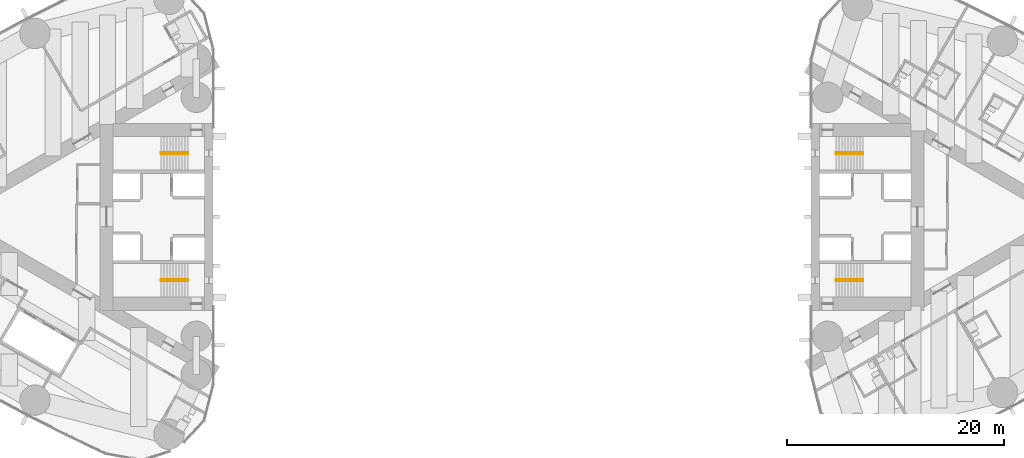
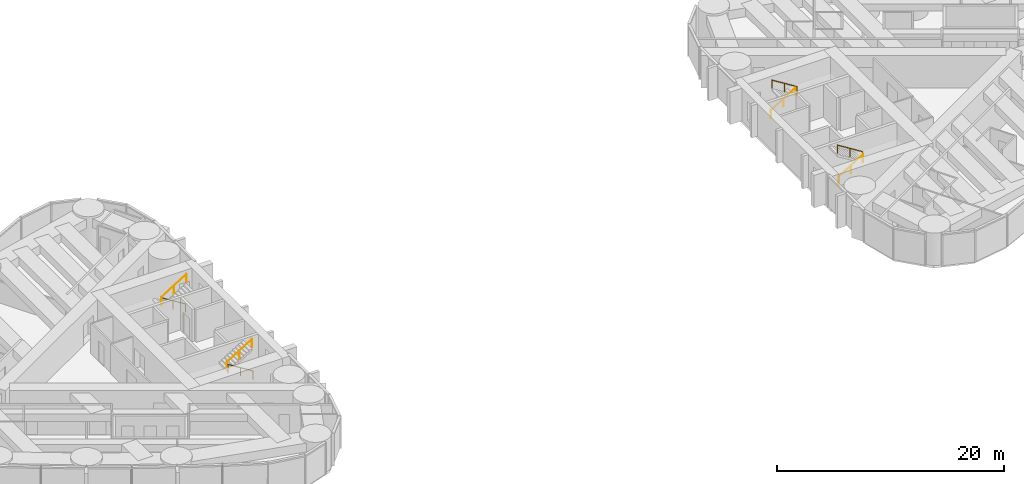
# One storey, part 17 of 18: 8 railings.
"""IFC4 building model written with IfcOpenShell, lengths in metres."""

from ifc_helpers import new_model, si_unit, direction, frame, origin, origin_2d, place, context, subcontext, project, spatial, circle, extrude, material, type_object, element, save


model = new_model("IFC4")

# Units and contexts
model_context = context("Model", 3, precision=1e-05, world=origin(), true_north=direction((0.0, 1.0)))
body_context = subcontext(model_context, "Body", "Model", "MODEL_VIEW")
ifc_project = project(units=[si_unit("LENGTHUNIT", "METRE"), si_unit("AREAUNIT", "SQUARE_METRE"), si_unit("VOLUMEUNIT", "CUBIC_METRE"), si_unit("PLANEANGLEUNIT", "RADIAN"), si_unit("MASSUNIT", "GRAM", prefix="KILO")], contexts=[model_context])

# Site, building, storey
site_placement = place(None, origin())
site = spatial("IfcSite", under=ifc_project, at=site_placement, CompositionType="ELEMENT")
building_placement = place(site_placement, origin())
building = spatial("IfcBuilding", under=site, at=building_placement, Name="Lancet Gate Hotel", CompositionType="ELEMENT")
storey_placement = place(building_placement, frame((0.0, 0.0, 187.800048828125)))
storey = spatial("IfcBuildingStorey", under=building, at=storey_placement, Name="L50", CompositionType="ELEMENT", Elevation=187.800048828125)

# Railings
ifc_material = material(Name="Stainless steel handrail", Category="steel")
railing_type = type_object("IfcRailingType", Name="Stair handrail 900", PredefinedType="HANDRAIL", material=ifc_material)
railing_1_placement = place(storey_placement, frame((-29.800048828125, 5.929931640625, 0.175048828125)))
element("IfcRailing", 1, at=railing_1_placement, inside=storey, type_object=railing_type, Name="ST1 handrail flight 1 L50", PredefinedType="HANDRAIL", context=body_context, shape_type="SweptSolid", body=[
    extrude(circle(Radius=0.02392578125, at=origin_2d()), frame((0.0, 0.0, 0.8759765625), z_axis=(-0.848007534815, 0.0, 0.529984170421), x_axis=(0.0, -1.0, 0.0)), (0.0, 0.0, 1.0), 2.9716796875),
    extrude(circle(Radius=0.02099609375, at=origin_2d()), origin(), (0.0, 0.0, 1.0), 0.851806640625),
    extrude(circle(Radius=0.02099609375, at=origin_2d()), frame((-1.260009765625, 0.0, 0.78759765625)), (0.0, 0.0, 1.0), 0.851806640625),
    extrude(circle(Radius=0.02099609375, at=origin_2d()), frame((-2.52001953125, 0.0, 1.574951171875)), (0.0, 0.0, 1.0), 0.851806640625),
])
railing_2_placement = place(storey_placement, frame((-32.320068359375, 5.77001953125, 1.925048828125)))
element("IfcRailing", 2, at=railing_2_placement, inside=storey, type_object=railing_type, Name="ST1 handrail flight 2 L50", PredefinedType="HANDRAIL", context=body_context, shape_type="SweptSolid", body=[
    extrude(circle(Radius=0.02392578125, at=origin_2d()), frame((0.0, 0.0, 0.8759765625), z_axis=(0.848007534815, 0.0, 0.529984170421), x_axis=(0.0, 1.0, 0.0)), (0.0, 0.0, 1.0), 2.9716796875),
    extrude(circle(Radius=0.02099609375, at=origin_2d()), origin(), (0.0, 0.0, 1.0), 0.851806640625),
    extrude(circle(Radius=0.02099609375, at=origin_2d()), frame((1.260009765625, 0.0, 0.78759765625)), (0.0, 0.0, 1.0), 0.851806640625),
    extrude(circle(Radius=0.02099609375, at=origin_2d()), frame((2.52001953125, 0.0, 1.574951171875)), (0.0, 0.0, 1.0), 0.851806640625),
])
railing_3_placement = place(storey_placement, frame((-29.800048828125, -5.929931640625, 0.175048828125)))
element("IfcRailing", 3, at=railing_3_placement, inside=storey, type_object=railing_type, Name="ST2 handrail flight 1 L50", PredefinedType="HANDRAIL", context=body_context, shape_type="SweptSolid", body=[
    extrude(circle(Radius=0.02392578125, at=origin_2d()), frame((0.0, 0.0, 0.8759765625), z_axis=(-0.848007534815, 0.0, 0.529984170421), x_axis=(0.0, -1.0, 0.0)), (0.0, 0.0, 1.0), 2.9716796875),
    extrude(circle(Radius=0.02099609375, at=origin_2d()), origin(), (0.0, 0.0, 1.0), 0.851806640625),
    extrude(circle(Radius=0.02099609375, at=origin_2d()), frame((-1.260009765625, 0.0, 0.78759765625)), (0.0, 0.0, 1.0), 0.851806640625),
    extrude(circle(Radius=0.02099609375, at=origin_2d()), frame((-2.52001953125, 0.0, 1.574951171875)), (0.0, 0.0, 1.0), 0.851806640625),
])
for number, where, name in (
    (4, (-32.320068359375, -5.77001953125, 1.925048828125), "ST2 handrail flight 2 L50"),
    (5, (29.800048828125, -5.929931640625, 0.175048828125), "ST3 handrail flight 1 L50"),
):
    element("IfcRailing", number, at=place(storey_placement, frame(where)), inside=storey, type_object=railing_type, Name=name, PredefinedType="HANDRAIL", context=body_context, shape_type="SweptSolid", body=[
        extrude(circle(Radius=0.02392578125, at=origin_2d()), frame((0.0, 0.0, 0.8759765625), z_axis=(0.848007534815, 0.0, 0.529984170421), x_axis=(0.0, 1.0, 0.0)), (0.0, 0.0, 1.0), 2.9716796875),
        extrude(circle(Radius=0.02099609375, at=origin_2d()), origin(), (0.0, 0.0, 1.0), 0.851806640625),
        extrude(circle(Radius=0.02099609375, at=origin_2d()), frame((1.260009765625, 0.0, 0.78759765625)), (0.0, 0.0, 1.0), 0.851806640625),
        extrude(circle(Radius=0.02099609375, at=origin_2d()), frame((2.52001953125, 0.0, 1.574951171875)), (0.0, 0.0, 1.0), 0.851806640625),
    ])
railing_4_placement = place(storey_placement, frame((32.320068359375, -5.77001953125, 1.925048828125)))
element("IfcRailing", 6, at=railing_4_placement, inside=storey, type_object=railing_type, Name="ST3 handrail flight 2 L50", PredefinedType="HANDRAIL", context=body_context, shape_type="SweptSolid", body=[
    extrude(circle(Radius=0.02392578125, at=origin_2d()), frame((0.0, 0.0, 0.8759765625), z_axis=(-0.848007534815, 0.0, 0.529984170421), x_axis=(0.0, -1.0, 0.0)), (0.0, 0.0, 1.0), 2.9716796875),
    extrude(circle(Radius=0.02099609375, at=origin_2d()), origin(), (0.0, 0.0, 1.0), 0.851806640625),
    extrude(circle(Radius=0.02099609375, at=origin_2d()), frame((-1.260009765625, 0.0, 0.78759765625)), (0.0, 0.0, 1.0), 0.851806640625),
    extrude(circle(Radius=0.02099609375, at=origin_2d()), frame((-2.52001953125, 0.0, 1.574951171875)), (0.0, 0.0, 1.0), 0.851806640625),
])
railing_5_placement = place(storey_placement, frame((29.800048828125, 5.929931640625, 0.175048828125)))
element("IfcRailing", 7, at=railing_5_placement, inside=storey, type_object=railing_type, Name="ST4 handrail flight 1 L50", PredefinedType="HANDRAIL", context=body_context, shape_type="SweptSolid", body=[
    extrude(circle(Radius=0.02392578125, at=origin_2d()), frame((0.0, 0.0, 0.8759765625), z_axis=(0.848007534815, 0.0, 0.529984170421), x_axis=(0.0, 1.0, 0.0)), (0.0, 0.0, 1.0), 2.9716796875),
    extrude(circle(Radius=0.02099609375, at=origin_2d()), origin(), (0.0, 0.0, 1.0), 0.851806640625),
    extrude(circle(Radius=0.02099609375, at=origin_2d()), frame((1.260009765625, 0.0, 0.78759765625)), (0.0, 0.0, 1.0), 0.851806640625),
    extrude(circle(Radius=0.02099609375, at=origin_2d()), frame((2.52001953125, 0.0, 1.574951171875)), (0.0, 0.0, 1.0), 0.851806640625),
])
railing_6_placement = place(storey_placement, frame((32.320068359375, 5.77001953125, 1.925048828125)))
element("IfcRailing", 8, at=railing_6_placement, inside=storey, type_object=railing_type, Name="ST4 handrail flight 2 L50", PredefinedType="HANDRAIL", context=body_context, shape_type="SweptSolid", body=[
    extrude(circle(Radius=0.02392578125, at=origin_2d()), frame((0.0, 0.0, 0.8759765625), z_axis=(-0.848007534815, 0.0, 0.529984170421), x_axis=(0.0, -1.0, 0.0)), (0.0, 0.0, 1.0), 2.9716796875),
    extrude(circle(Radius=0.02099609375, at=origin_2d()), origin(), (0.0, 0.0, 1.0), 0.851806640625),
    extrude(circle(Radius=0.02099609375, at=origin_2d()), frame((-1.260009765625, 0.0, 0.78759765625)), (0.0, 0.0, 1.0), 0.851806640625),
    extrude(circle(Radius=0.02099609375, at=origin_2d()), frame((-2.52001953125, 0.0, 1.574951171875)), (0.0, 0.0, 1.0), 0.851806640625),
])

save(model, "model.ifc")
